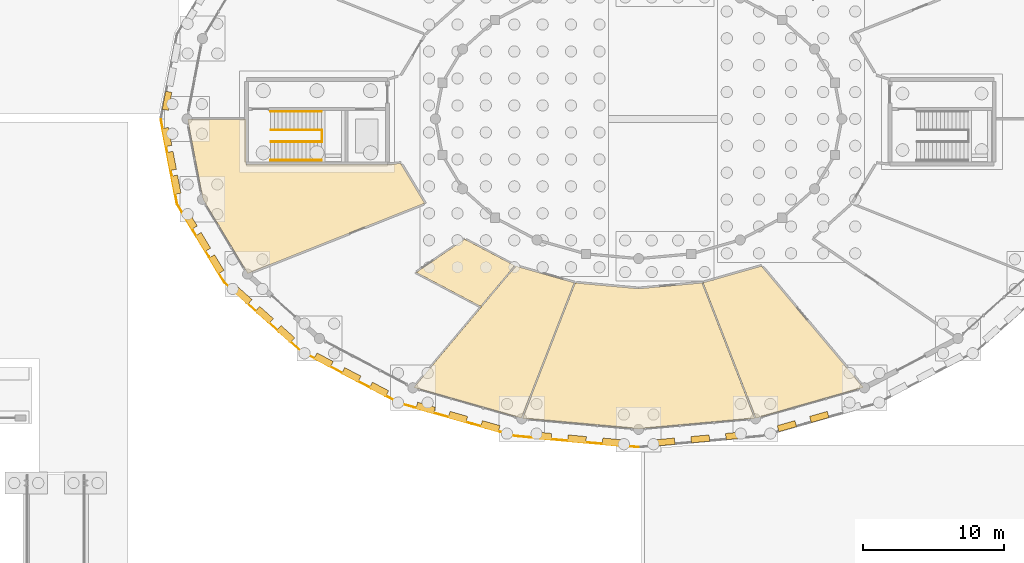
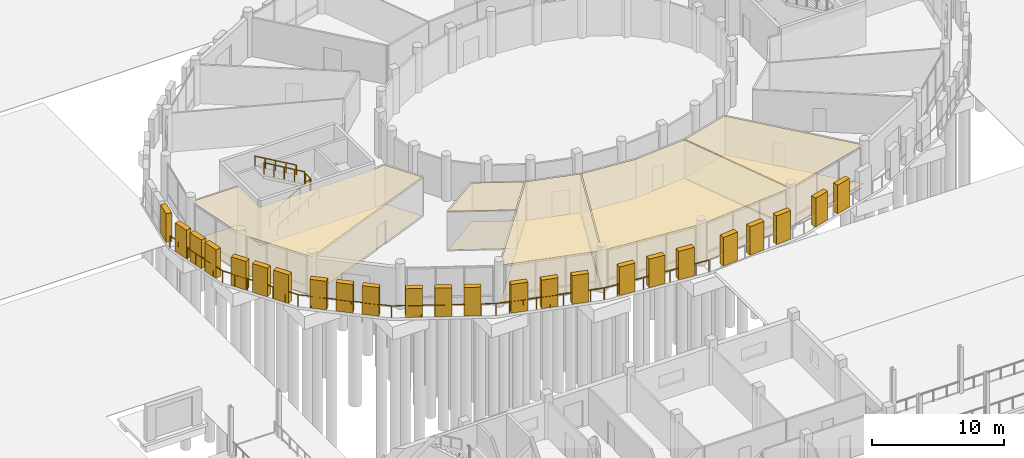
# One storey, part 91 of 98: 24 shading devices, 10 coverings, 6 railings.
"""IFC4 building model written with IfcOpenShell, lengths in metres."""

from ifc_helpers import new_model, si_unit, direction, frame, origin, origin_2d, place, context, subcontext, project, spatial, polyline, rectangle, circle, outline, extrude, material, layer, layer_set, type_object, element, save


model = new_model("IFC4")

# Units and contexts
model_context = context("Model", 3, precision=1e-05, world=origin(), true_north=direction((0.0, 1.0)))
body_context = subcontext(model_context, "Body", "Model", "MODEL_VIEW")
ifc_project = project(units=[si_unit("LENGTHUNIT", "METRE"), si_unit("AREAUNIT", "SQUARE_METRE"), si_unit("VOLUMEUNIT", "CUBIC_METRE"), si_unit("PLANEANGLEUNIT", "RADIAN"), si_unit("MASSUNIT", "GRAM", prefix="KILO")], contexts=[model_context])

# Site, building, storey
site_placement = place(None, origin())
site = spatial("IfcSite", under=ifc_project, at=site_placement, CompositionType="ELEMENT")
building_placement = place(site_placement, origin())
building = spatial("IfcBuilding", under=site, at=building_placement, Name="Zornivar Specialist Clinic", CompositionType="ELEMENT")
storey_placement = place(building_placement, origin())
storey = spatial("IfcBuildingStorey", under=building, at=storey_placement, Name="L00", CompositionType="ELEMENT", Elevation=0.0)

# Coverings
ifc_material_1 = material(Name="Washable Acoustic Mineral Clinical Ceiling")
ifc_layer_1 = layer(ifc_material_1, 0.01806640625)
ifc_layer_set_1 = layer_set([ifc_layer_1], Name="Washable Acoustic Mineral Clinical Ceiling")
covering_type_1 = type_object("IfcCoveringType", Name="COV-CEIL-CLIN-18", PredefinedType="CEILING", material=ifc_layer_set_1)
covering_1_placement = place(storey_placement, frame((0.0, 0.0, 3.572021484375)))
element("IfcCovering", 1, at=covering_1_placement, inside=storey, type_object=covering_type_1, Name="ceil:space:V1:L00:rm:09", PredefinedType="CEILING", context=body_context, shape_type="SweptSolid", body=[
    extrude(outline(polyline([(62.72802734375, 51.9208984375), (61.64794921875, 57.56005859375), (65.760009765625, 57.56005859375), (65.760009765625, 54.360107421875), (75.802001953125, 54.360107421875), (76.73291015625, 54.455078125), (78.43701171875, 51.625), (65.904052734375, 46.64990234375), (62.72802734375, 51.9208984375)])), origin(), (0.0, 0.0, 1.0), 0.01806640625),
])
covering_2_placement = place(storey_placement, frame((0.0, 0.0, 3.572021484375)))
element("IfcCovering", 2, at=covering_2_placement, inside=storey, type_object=covering_type_1, Name="ceil:space:V1:L00:rm:10", PredefinedType="CEILING", context=body_context, shape_type="SweptSolid", body=[
    extrude(outline(polyline([(82.39501953125, 44.319091796875), (77.844970703125, 46.719970703125), (81.27099609375, 49.074951171875), (84.81689453125, 47.2041015625), (82.39501953125, 44.319091796875)])), origin(), (0.0, 0.0, 1.0), 0.01806640625),
])
covering_3_placement = place(storey_placement, frame((0.0, 0.0, 3.572021484375)))
element("IfcCovering", 3, at=covering_3_placement, inside=storey, type_object=covering_type_1, Name="ceil:space:V1:L00:rm:11", PredefinedType="CEILING", context=body_context, shape_type="SweptSolid", body=[
    extrude(outline(polyline([(85.2939453125, 36.39794921875), (77.669921875, 38.569091796875), (84.89404296875, 47.169921875), (89.032958984375, 45.992919921875), (85.2939453125, 36.39794921875)])), origin(), (0.0, 0.0, 1.0), 0.01806640625),
])
covering_4_placement = place(storey_placement, frame((0.0, 0.0, 3.572021484375)))
element("IfcCovering", 4, at=covering_4_placement, inside=storey, type_object=covering_type_1, Name="ceil:space:V1:L00:rm:12", PredefinedType="CEILING", context=body_context, shape_type="SweptSolid", body=[
    extrude(outline(polyline([(93.60009765625, 45.570068359375), (98.087890625, 45.97607421875), (101.824951171875, 36.385009765625), (93.60009765625, 35.639892578125), (85.375, 36.385009765625), (89.112060546875, 45.97607421875), (93.60009765625, 45.570068359375)])), origin(), (0.0, 0.0, 1.0), 0.01806640625),
])
covering_5_placement = place(storey_placement, frame((0.0, 0.0, 3.572021484375)))
element("IfcCovering", 5, at=covering_5_placement, inside=storey, type_object=covering_type_1, Name="ceil:space:V1:L00:rm:13", PredefinedType="CEILING", context=body_context, shape_type="SweptSolid", body=[
    extrude(outline(polyline([(109.530029296875, 38.569091796875), (101.906005859375, 36.39794921875), (98.1669921875, 45.992919921875), (102.305908203125, 47.169921875), (109.530029296875, 38.569091796875)])), origin(), (0.0, 0.0, 1.0), 0.01806640625),
])
ifc_material_2 = material(Name="Homogeneous Anti-Static Clinical Vinyl Flooring")
ifc_layer_2 = layer(ifc_material_2, 0.011962890625)
ifc_layer_set_2 = layer_set([ifc_layer_2], Name="Homogeneous Anti-Static Clinical Vinyl Flooring")
covering_type_2 = type_object("IfcCoveringType", Name="COV-FLR-VINYL-12", PredefinedType="FLOORING", material=ifc_layer_set_2)
covering_6_placement = place(storey_placement, origin())
element("IfcCovering", 6, at=covering_6_placement, inside=storey, type_object=covering_type_2, Name="flr:space:V1:L00:rm:09", PredefinedType="FLOORING", context=body_context, shape_type="SweptSolid", body=[
    extrude(outline(polyline([(62.72802734375, 51.9208984375), (61.64794921875, 57.56005859375), (65.760009765625, 57.56005859375), (65.760009765625, 54.360107421875), (75.802001953125, 54.360107421875), (76.73291015625, 54.455078125), (78.43701171875, 51.625), (65.904052734375, 46.64990234375), (62.72802734375, 51.9208984375)])), origin(), (0.0, 0.0, 1.0), 0.011962890625),
])
covering_7_placement = place(storey_placement, origin())
element("IfcCovering", 7, at=covering_7_placement, inside=storey, type_object=covering_type_2, Name="flr:space:V1:L00:rm:10", PredefinedType="FLOORING", context=body_context, shape_type="SweptSolid", body=[
    extrude(outline(polyline([(82.39501953125, 44.319091796875), (77.844970703125, 46.719970703125), (81.27099609375, 49.074951171875), (84.81689453125, 47.2041015625), (82.39501953125, 44.319091796875)])), origin(), (0.0, 0.0, 1.0), 0.011962890625),
])
covering_8_placement = place(storey_placement, origin())
element("IfcCovering", 8, at=covering_8_placement, inside=storey, type_object=covering_type_2, Name="flr:space:V1:L00:rm:11", PredefinedType="FLOORING", context=body_context, shape_type="SweptSolid", body=[
    extrude(outline(polyline([(85.2939453125, 36.39794921875), (77.669921875, 38.569091796875), (84.89404296875, 47.169921875), (89.032958984375, 45.992919921875), (85.2939453125, 36.39794921875)])), origin(), (0.0, 0.0, 1.0), 0.011962890625),
])
covering_9_placement = place(storey_placement, origin())
element("IfcCovering", 9, at=covering_9_placement, inside=storey, type_object=covering_type_2, Name="flr:space:V1:L00:rm:12", PredefinedType="FLOORING", context=body_context, shape_type="SweptSolid", body=[
    extrude(outline(polyline([(93.60009765625, 45.570068359375), (98.087890625, 45.97607421875), (101.824951171875, 36.385009765625), (93.60009765625, 35.639892578125), (85.375, 36.385009765625), (89.112060546875, 45.97607421875), (93.60009765625, 45.570068359375)])), origin(), (0.0, 0.0, 1.0), 0.011962890625),
])
covering_10_placement = place(storey_placement, origin())
element("IfcCovering", 10, at=covering_10_placement, inside=storey, type_object=covering_type_2, Name="flr:space:V1:L00:rm:13", PredefinedType="FLOORING", context=body_context, shape_type="SweptSolid", body=[
    extrude(outline(polyline([(109.530029296875, 38.569091796875), (101.906005859375, 36.39794921875), (98.1669921875, 45.992919921875), (102.305908203125, 47.169921875), (109.530029296875, 38.569091796875)])), origin(), (0.0, 0.0, 1.0), 0.011962890625),
])

# Railings
ifc_material_3 = material(Name="Painted Steel and Oiled Timber Balustrade", Category="steel")
railing_type_1 = type_object("IfcRailingType", Name="GRD-EXT-BALUST-1100", PredefinedType="BALUSTRADE", material=ifc_material_3)
railing_1_placement = place(storey_placement, frame((59.74609375, 57.571044921875, 0.0)))
element("IfcRailing", 11, at=railing_1_placement, inside=storey, type_object=railing_type_1, Name="rail:V1:L00:balc:q2", PredefinedType="BALUSTRADE", context=body_context, shape_type="SweptSolid", body=[
    extrude(circle(Radius=0.02392578125, at=origin_2d()), frame((0.0, 0.0, 1.076171875), z_axis=(0.188188814184, -0.982132867903, 0.0), x_axis=(0.982132867903, 0.188188814184, 0.0)), (0.0, 0.0, 1.0), 6.105224609375),
    extrude(circle(Radius=0.02392578125, at=origin_2d()), frame((1.14892578125, -5.99609375, 1.076171875), z_axis=(0.516422508188, -0.856333926127, 0.0), x_axis=(0.856333926127, 0.516422508188, 0.0)), (0.0, 0.0, 1.0), 6.5546875),
    extrude(circle(Radius=0.02392578125, at=origin_2d()), frame((4.533935546875, -11.609130859375, 1.076171875), z_axis=(0.745201542332, -0.666839306959, 0.0), x_axis=(0.666839306959, 0.745201542332, 0.0)), (0.0, 0.0, 1.0), 7.224853515625),
    extrude(circle(Radius=0.02392578125, at=origin_2d()), frame((9.91796875, -16.427001953125, 1.076171875), z_axis=(0.884811989173, -0.465948220101, 0.0), x_axis=(0.465948220101, 0.884811989173, 0.0)), (0.0, 0.0, 1.0), 7.92822265625),
    extrude(circle(Radius=0.02392578125, at=origin_2d()), frame((16.932861328125, -20.12109375, 1.076171875), z_axis=(0.961950479971, -0.273223853432, 0.0), x_axis=(0.273223853432, 0.961950479971, 0.0)), (0.0, 0.0, 1.0), 8.487060546875),
    extrude(circle(Radius=0.02392578125, at=origin_2d()), frame((25.096923828125, -22.43994140625, 1.076171875), z_axis=(0.995947380316, -0.089937843218, 0.0), x_axis=(0.089937843218, 0.995947380316, 0.0)), (0.0, 0.0, 1.0), 8.762451171875),
    extrude(circle(Radius=0.02099609375, at=origin_2d()), origin(), (0.0, 0.0, 1.0), 1.052001953125),
    extrude(circle(Radius=0.02099609375, at=origin_2d()), frame((0.19140625, -0.999267578125, 0.0)), (0.0, 0.0, 1.0), 1.052001953125),
    extrude(circle(Radius=0.02099609375, at=origin_2d()), frame((0.383056640625, -1.998779296875, 0.0)), (0.0, 0.0, 1.0), 1.052001953125),
    extrude(circle(Radius=0.02099609375, at=origin_2d()), frame((0.574462890625, -2.998046875, 0.0)), (0.0, 0.0, 1.0), 1.052001953125),
    extrude(circle(Radius=0.02099609375, at=origin_2d()), frame((0.765869140625, -3.997314453125, 0.0)), (0.0, 0.0, 1.0), 1.052001953125),
    extrude(circle(Radius=0.02099609375, at=origin_2d()), frame((0.95751953125, -4.996826171875, 0.0)), (0.0, 0.0, 1.0), 1.052001953125),
    extrude(circle(Radius=0.02099609375, at=origin_2d()), frame((1.14892578125, -5.99609375, 0.0)), (0.0, 0.0, 1.0), 1.052001953125),
    extrude(circle(Radius=0.02099609375, at=origin_2d()), frame((1.713134765625, -6.931640625, 0.0)), (0.0, 0.0, 1.0), 1.052001953125),
    extrude(circle(Radius=0.02099609375, at=origin_2d()), frame((2.27734375, -7.8671875, 0.0)), (0.0, 0.0, 1.0), 1.052001953125),
    extrude(circle(Radius=0.02099609375, at=origin_2d()), frame((2.84130859375, -8.802734375, 0.0)), (0.0, 0.0, 1.0), 1.052001953125),
    extrude(circle(Radius=0.02099609375, at=origin_2d()), frame((3.405517578125, -9.738037109375, 0.0)), (0.0, 0.0, 1.0), 1.052001953125),
    extrude(circle(Radius=0.02099609375, at=origin_2d()), frame((3.9697265625, -10.673583984375, 0.0)), (0.0, 0.0, 1.0), 1.052001953125),
    extrude(circle(Radius=0.02099609375, at=origin_2d()), frame((4.533935546875, -11.609130859375, 0.0)), (0.0, 0.0, 1.0), 1.052001953125),
    extrude(circle(Radius=0.02099609375, at=origin_2d()), frame((5.302978515625, -12.29736328125, 0.0)), (0.0, 0.0, 1.0), 1.052001953125),
    extrude(circle(Radius=0.02099609375, at=origin_2d()), frame((6.072265625, -12.985595703125, 0.0)), (0.0, 0.0, 1.0), 1.052001953125),
    extrude(circle(Radius=0.02099609375, at=origin_2d()), frame((6.84130859375, -13.673828125, 0.0)), (0.0, 0.0, 1.0), 1.052001953125),
    extrude(circle(Radius=0.02099609375, at=origin_2d()), frame((7.610595703125, -14.3623046875, 0.0)), (0.0, 0.0, 1.0), 1.052001953125),
    extrude(circle(Radius=0.02099609375, at=origin_2d()), frame((8.379638671875, -15.050537109375, 0.0)), (0.0, 0.0, 1.0), 1.052001953125),
    extrude(circle(Radius=0.02099609375, at=origin_2d()), frame((9.14892578125, -15.73876953125, 0.0)), (0.0, 0.0, 1.0), 1.052001953125),
    extrude(circle(Radius=0.02099609375, at=origin_2d()), frame((9.91796875, -16.427001953125, 0.0)), (0.0, 0.0, 1.0), 1.052001953125),
    extrude(circle(Radius=0.02099609375, at=origin_2d()), frame((10.920166015625, -16.954833984375, 0.0)), (0.0, 0.0, 1.0), 1.052001953125),
    extrude(circle(Radius=0.02099609375, at=origin_2d()), frame((11.922119140625, -17.482421875, 0.0)), (0.0, 0.0, 1.0), 1.052001953125),
    extrude(circle(Radius=0.02099609375, at=origin_2d()), frame((12.92431640625, -18.01025390625, 0.0)), (0.0, 0.0, 1.0), 1.052001953125),
    extrude(circle(Radius=0.02099609375, at=origin_2d()), frame((13.926513671875, -18.537841796875, 0.0)), (0.0, 0.0, 1.0), 1.052001953125),
    extrude(circle(Radius=0.02099609375, at=origin_2d()), frame((14.9287109375, -19.065673828125, 0.0)), (0.0, 0.0, 1.0), 1.052001953125),
    extrude(circle(Radius=0.02099609375, at=origin_2d()), frame((15.9306640625, -19.59326171875, 0.0)), (0.0, 0.0, 1.0), 1.052001953125),
    extrude(circle(Radius=0.02099609375, at=origin_2d()), frame((16.932861328125, -20.12109375, 0.0)), (0.0, 0.0, 1.0), 1.052001953125),
    extrude(circle(Radius=0.02099609375, at=origin_2d()), frame((17.953369140625, -20.410888671875, 0.0)), (0.0, 0.0, 1.0), 1.052001953125),
    extrude(circle(Radius=0.02099609375, at=origin_2d()), frame((18.973876953125, -20.70068359375, 0.0)), (0.0, 0.0, 1.0), 1.052001953125),
    extrude(circle(Radius=0.02099609375, at=origin_2d()), frame((19.994384765625, -20.99072265625, 0.0)), (0.0, 0.0, 1.0), 1.052001953125),
    extrude(circle(Radius=0.02099609375, at=origin_2d()), frame((21.014892578125, -21.280517578125, 0.0)), (0.0, 0.0, 1.0), 1.052001953125),
    extrude(circle(Radius=0.02099609375, at=origin_2d()), frame((22.035400390625, -21.5703125, 0.0)), (0.0, 0.0, 1.0), 1.052001953125),
    extrude(circle(Radius=0.02099609375, at=origin_2d()), frame((23.055908203125, -21.8603515625, 0.0)), (0.0, 0.0, 1.0), 1.052001953125),
    extrude(circle(Radius=0.02099609375, at=origin_2d()), frame((24.076416015625, -22.150146484375, 0.0)), (0.0, 0.0, 1.0), 1.052001953125),
    extrude(circle(Radius=0.02099609375, at=origin_2d()), frame((25.096923828125, -22.43994140625, 0.0)), (0.0, 0.0, 1.0), 1.052001953125),
    extrude(circle(Radius=0.02099609375, at=origin_2d()), frame((26.187744140625, -22.53857421875, 0.0)), (0.0, 0.0, 1.0), 1.052001953125),
    extrude(circle(Radius=0.02099609375, at=origin_2d()), frame((27.27880859375, -22.636962890625, 0.0)), (0.0, 0.0, 1.0), 1.052001953125),
    extrude(circle(Radius=0.02099609375, at=origin_2d()), frame((28.36962890625, -22.7353515625, 0.0)), (0.0, 0.0, 1.0), 1.052001953125),
    extrude(circle(Radius=0.02099609375, at=origin_2d()), frame((29.46044921875, -22.833984375, 0.0)), (0.0, 0.0, 1.0), 1.052001953125),
    extrude(circle(Radius=0.02099609375, at=origin_2d()), frame((30.55126953125, -22.9326171875, 0.0)), (0.0, 0.0, 1.0), 1.052001953125),
    extrude(circle(Radius=0.02099609375, at=origin_2d()), frame((31.64208984375, -23.031005859375, 0.0)), (0.0, 0.0, 1.0), 1.052001953125),
    extrude(circle(Radius=0.02099609375, at=origin_2d()), frame((32.733154296875, -23.12939453125, 0.0)), (0.0, 0.0, 1.0), 1.052001953125),
    extrude(circle(Radius=0.02099609375, at=origin_2d()), frame((33.823974609375, -23.22802734375, 0.0)), (0.0, 0.0, 1.0), 1.052001953125),
])
ifc_material_4 = material(Name="Brushed Stainless Steel Stair Guardrail", Category="steel")
railing_type_2 = type_object("IfcRailingType", Name="GRD-INT-STAIR-1100", PredefinedType="GUARDRAIL", material=ifc_material_4)
railing_2_placement = place(storey_placement, frame((67.5400390625, 55.97998046875, 0.160888671875)))
element("IfcRailing", 12, at=railing_2_placement, inside=storey, type_object=railing_type_2, Name="stair:C3:L00:grd1", PredefinedType="GUARDRAIL", context=body_context, shape_type="SweptSolid", body=[
    extrude(circle(Radius=0.02392578125, at=origin_2d()), frame((0.0, 0.0, 1.076171875), z_axis=(0.862467420366, 0.0, 0.50611258511), x_axis=(0.0, 1.0, 0.0)), (0.0, 0.0, 1.0), 4.127685546875),
    extrude(circle(Radius=0.02099609375, at=origin_2d()), origin(), (0.0, 0.0, 1.0), 1.052001953125),
    extrude(circle(Radius=0.02099609375, at=origin_2d()), frame((0.89013671875, 0.0, 0.522216796875)), (0.0, 0.0, 1.0), 1.052001953125),
    extrude(circle(Radius=0.02099609375, at=origin_2d()), frame((1.780029296875, 0.0, 1.04443359375)), (0.0, 0.0, 1.0), 1.052001953125),
    extrude(circle(Radius=0.02099609375, at=origin_2d()), frame((2.669921875, 0.0, 1.56689453125)), (0.0, 0.0, 1.0), 1.052001953125),
    extrude(circle(Radius=0.02099609375, at=origin_2d()), frame((3.56005859375, 0.0, 2.089111328125)), (0.0, 0.0, 1.0), 1.052001953125),
])
railing_3_placement = place(storey_placement, frame((71.10009765625, 56.820068359375, 2.410888671875)))
element("IfcRailing", 13, at=railing_3_placement, inside=storey, type_object=railing_type_2, Name="stair:C3:L00:grd2", PredefinedType="GUARDRAIL", context=body_context, shape_type="SweptSolid", body=[
    extrude(circle(Radius=0.02392578125, at=origin_2d()), frame((0.0, 0.0, 1.076171875), z_axis=(-0.861217264902, 0.0, 0.50823697488), x_axis=(0.0, -1.0, 0.0)), (0.0, 0.0, 1.0), 4.110595703125),
    extrude(circle(Radius=0.02099609375, at=origin_2d()), origin(), (0.0, 0.0, 1.0), 1.052001953125),
    extrude(circle(Radius=0.02099609375, at=origin_2d()), frame((-0.885009765625, 0.0, 0.522216796875)), (0.0, 0.0, 1.0), 1.052001953125),
    extrude(circle(Radius=0.02099609375, at=origin_2d()), frame((-1.77001953125, 0.0, 1.04443359375)), (0.0, 0.0, 1.0), 1.052001953125),
    extrude(circle(Radius=0.02099609375, at=origin_2d()), frame((-2.655029296875, 0.0, 1.56689453125)), (0.0, 0.0, 1.0), 1.052001953125),
    extrude(circle(Radius=0.02099609375, at=origin_2d()), frame((-3.5400390625, 0.0, 2.089111328125)), (0.0, 0.0, 1.0), 1.052001953125),
])
railing_4_placement = place(storey_placement, frame((71.169921875, 55.97998046875, 2.25)))
element("IfcRailing", 14, at=railing_4_placement, inside=storey, type_object=railing_type_2, Name="stair:C3:L00:grdl", PredefinedType="GUARDRAIL", context=body_context, shape_type="SweptSolid", body=[
    extrude(circle(Radius=0.02392578125, at=origin_2d()), frame((0.0, 0.0, 1.076171875), z_axis=(0.0, 1.0, 0.0), x_axis=(-1.0, 0.0, 0.0)), (0.0, 0.0, 1.0), 0.840087890625),
    extrude(circle(Radius=0.02099609375, at=origin_2d()), origin(), (0.0, 0.0, 1.0), 1.052001953125),
    extrude(circle(Radius=0.02099609375, at=origin_2d()), frame((0.0, 0.840087890625, 0.0)), (0.0, 0.0, 1.0), 1.052001953125),
])
ifc_material_5 = material(Name="Brushed Stainless Steel Continuous Handrail", Category="steel")
railing_type_3 = type_object("IfcRailingType", Name="HRL-STAIR-0920", PredefinedType="HANDRAIL", material=ifc_material_5)
railing_5_placement = place(storey_placement, frame((67.5, 54.669921875, 0.160888671875)))
element("IfcRailing", 15, at=railing_5_placement, inside=storey, type_object=railing_type_3, Name="stair:C3:L00:hr1", PredefinedType="HANDRAIL", context=body_context, shape_type="SweptSolid", body=[
    extrude(circle(Radius=0.02392578125, at=origin_2d()), frame((0.0, 0.0, 0.89599609375), z_axis=(0.867300072446, 0.0, 0.497785681127), x_axis=(0.0, 1.0, 0.0)), (0.0, 0.0, 1.0), 4.19677734375),
    extrude(circle(Radius=0.02099609375, at=origin_2d()), origin(), (0.0, 0.0, 1.0), 0.871826171875),
    extrude(circle(Radius=0.02099609375, at=origin_2d()), frame((0.909912109375, 0.0, 0.522216796875)), (0.0, 0.0, 1.0), 0.871826171875),
    extrude(circle(Radius=0.02099609375, at=origin_2d()), frame((1.81982421875, 0.0, 1.04443359375)), (0.0, 0.0, 1.0), 0.871826171875),
    extrude(circle(Radius=0.02099609375, at=origin_2d()), frame((2.72998046875, 0.0, 1.56689453125)), (0.0, 0.0, 1.0), 0.871826171875),
    extrude(circle(Radius=0.02099609375, at=origin_2d()), frame((3.639892578125, 0.0, 2.089111328125)), (0.0, 0.0, 1.0), 0.871826171875),
])
railing_6_placement = place(storey_placement, frame((71.139892578125, 58.1298828125, 2.410888671875)))
element("IfcRailing", 16, at=railing_6_placement, inside=storey, type_object=railing_type_3, Name="stair:C3:L00:hr2", PredefinedType="HANDRAIL", context=body_context, shape_type="SweptSolid", body=[
    extrude(circle(Radius=0.02392578125, at=origin_2d()), frame((0.0, 0.0, 0.89599609375), z_axis=(-0.866110694346, 0.0, 0.499852243307), x_axis=(0.0, -1.0, 0.0)), (0.0, 0.0, 1.0), 4.179443359375),
    extrude(circle(Radius=0.02099609375, at=origin_2d()), origin(), (0.0, 0.0, 1.0), 0.871826171875),
    extrude(circle(Radius=0.02099609375, at=origin_2d()), frame((-0.905029296875, 0.0, 0.522216796875)), (0.0, 0.0, 1.0), 0.871826171875),
    extrude(circle(Radius=0.02099609375, at=origin_2d()), frame((-1.81005859375, 0.0, 1.04443359375)), (0.0, 0.0, 1.0), 0.871826171875),
    extrude(circle(Radius=0.02099609375, at=origin_2d()), frame((-2.71484375, 0.0, 1.56689453125)), (0.0, 0.0, 1.0), 0.871826171875),
    extrude(circle(Radius=0.02099609375, at=origin_2d()), frame((-3.619873046875, 0.0, 2.089111328125)), (0.0, 0.0, 1.0), 0.871826171875),
])

# Shading devices
ifc_material_6 = material(Name="Oiled European Larch Timber Louvre Shutter", Category="wood")
shading_device_type = type_object("IfcShadingDeviceType", Name="SHD-DRUM-SHUTTER-450", PredefinedType="SHUTTER", material=ifc_material_6)
for number, where, z_axis, x_axis, name in (
    (17, (60.179931640625, 58.881103515625, 0.0), (0.0, 0.0, 1.0), (-0.188098987302, -0.982150075587, 0.0), "shutter:V1:L00:c11:2"),
    (18, (60.179931640625, 56.319091796875, 0.0), (0.0, 0.0, 1.0), (0.188098987302, -0.982150075587, 0.0), "shutter:V1:L00:c12:0"),
    (19, (60.50390625, 54.62890625, 0.0), (0.0, 0.0, 1.0), (0.188098987302, -0.982150075587, 0.0), "shutter:V1:L00:c12:1"),
    (20, (60.826904296875, 52.93896484375, 0.0), (0.0, 0.0, 1.0), (0.188098987302, -0.982150075587, 0.0), "shutter:V1:L00:c12:2"),
    (21, (61.7958984375, 50.4560546875, 0.0), (0.0, 0.0, 1.0), (0.516018019467, -0.856577727696, 0.0), "shutter:V1:L00:c13:0"),
    (22, (62.743896484375, 48.881103515625, 0.0), (0.0, 0.0, 1.0), (0.516018019467, -0.856577727696, 0.0), "shutter:V1:L00:c13:1"),
    (23, (63.693115234375, 47.305908203125, 0.0), (0.0, 0.0, 1.0), (0.516018019467, -0.856577727696, 0.0), "shutter:V1:L00:c13:2"),
    (24, (65.576904296875, 45.06396484375, 0.0), (0.0, 0.0, 1.0), (0.744796712128, -0.667291433785, 0.0), "shutter:V1:L00:c14:0"),
    (25, (67.0859375, 43.7109375, 0.0), (0.0, 0.0, 1.0), (0.744796712128, -0.667291433785, 0.0), "shutter:V1:L00:c14:1"),
    (26, (68.595947265625, 42.35888671875, 0.0), (0.0, 0.0, 1.0), (0.744796712128, -0.667291433785, 0.0), "shutter:V1:L00:c14:2"),
    (27, (71.277099609375, 40.51611328125, 0.0), (0.0, 0.0, 1.0), (0.884469914632, -0.466597224713, 0.0), "shutter:V1:L00:c15:0"),
    (28, (73.243896484375, 39.47802734375, 0.0), (0.0, 0.0, 1.0), (0.884469914632, -0.466597224713, 0.0), "shutter:V1:L00:c15:1"),
    (29, (75.2109375, 38.43994140625, 0.0), (0.0, 0.0, 1.0), (0.884469914632, -0.466597224713, 0.0), "shutter:V1:L00:c15:2"),
    (30, (78.508056640625, 37.132080078125, 0.0), (0.0, 0.0, 1.0), (0.961785255901, -0.273804896838, 0.0), "shutter:V1:L00:c16:0"),
    (31, (80.799072265625, 36.47998046875, 0.0), (0.0, 0.0, 1.0), (0.961785255901, -0.273804896838, 0.0), "shutter:V1:L00:c16:1"),
    (32, (83.090087890625, 35.827880859375, 0.0), (0.0, 0.0, 1.0), (0.961785255901, -0.273804896838, 0.0), "shutter:V1:L00:c16:2"),
    (33, (86.77490234375, 35.14892578125, 0.0), (0.0, 0.0, 1.0), (0.995924761284, -0.090187969607, 0.0), "shutter:V1:L00:c17:0"),
    (34, (89.23291015625, 34.926025390625, 0.0), (0.0, 0.0, 1.0), (0.995924761284, -0.090187969607, 0.0), "shutter:V1:L00:c17:1"),
    (35, (91.69091796875, 34.7041015625, 0.0), (0.0, 0.0, 1.0), (0.995924761284, -0.090187969607, 0.0), "shutter:V1:L00:c17:2"),
    (36, (95.509033203125, 34.7041015625, 0.0), (0.0, 0.0, 1.0), (0.995924761284, 0.090187969607, 0.0), "shutter:V1:L00:c18:0"),
    (37, (97.967041015625, 34.926025390625, 0.0), (0.0, 0.0, 1.0), (0.995924761284, 0.090187969607, 0.0), "shutter:V1:L00:c18:1"),
    (38, (100.425048828125, 35.14892578125, 0.0), (0.0, 0.0, 1.0), (0.995924761284, 0.090187969607, 0.0), "shutter:V1:L00:c18:2"),
    (39, (104.110107421875, 35.827880859375, 0.0), (0.0, 0.0, 1.0), (0.961785255901, 0.273804896838, 0.0), "shutter:V1:L00:c19:0"),
    (40, (106.40087890625, 36.47998046875, 0.0), (0.0, 0.0, 1.0), (0.961785255901, 0.273804896838, 0.0), "shutter:V1:L00:c19:1"),
):
    element("IfcShadingDevice", number, at=place(storey_placement, frame(where, z_axis=z_axis, x_axis=x_axis)), inside=storey, type_object=shading_device_type, Name=name, PredefinedType="SHUTTER", context=body_context, shape_type="SweptSolid", body=[
        extrude(rectangle(XDim=1.300048828125, YDim=0.449951171875, at=origin_2d()), origin(), (0.0, 0.0, 1.0), 2.64990234375),
    ])

save(model, "model.ifc")
